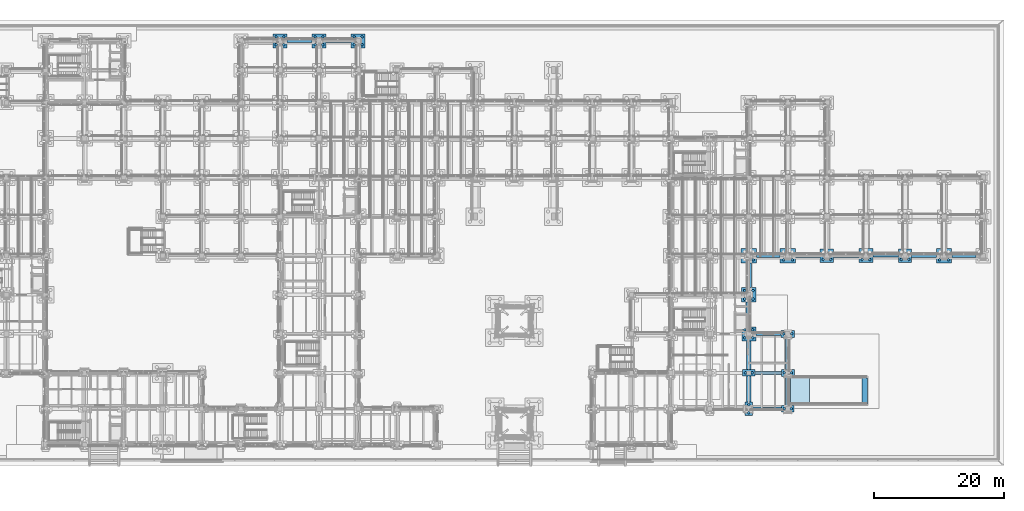
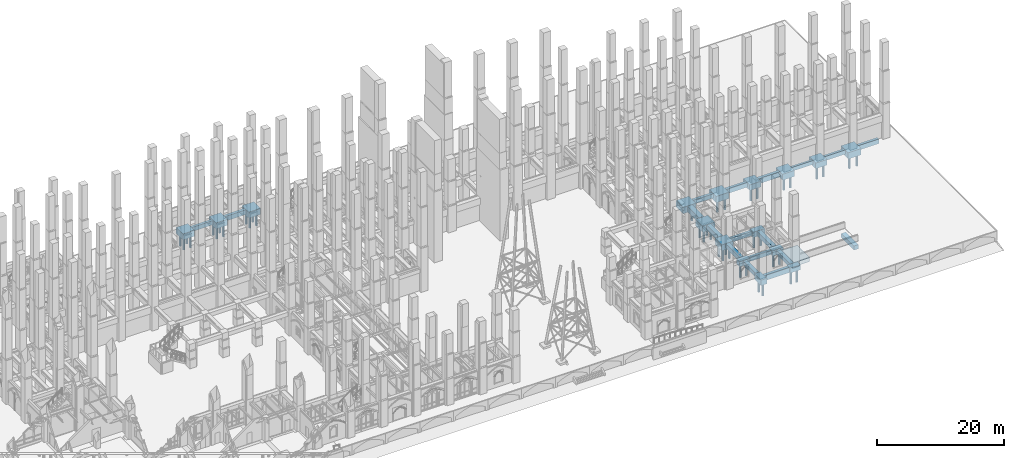
# One storey, part 12 of 135: 41 piles, 35 footings.
"""IFC4 building model written with IfcOpenShell, lengths in metres."""

from ifc_helpers import new_model, si_unit, direction, frame, origin, origin_2d, place, context, subcontext, project, spatial, polyline, rectangle, circle, outline, extrude, material, material_profile, profile_set, type_object, element, save


model = new_model("IFC4")

# Units and contexts
model_context = context("Model", 3, precision=1e-05, world=origin(), true_north=direction((0.0, 1.0)))
body_context = subcontext(model_context, "Body", "Model", "MODEL_VIEW")
ifc_project = project(units=[si_unit("LENGTHUNIT", "METRE"), si_unit("AREAUNIT", "SQUARE_METRE"), si_unit("VOLUMEUNIT", "CUBIC_METRE"), si_unit("PLANEANGLEUNIT", "RADIAN"), si_unit("MASSUNIT", "GRAM", prefix="KILO")], contexts=[model_context])

# Site, building, storey
site_placement = place(None, origin())
site = spatial("IfcSite", under=ifc_project, at=site_placement, CompositionType="ELEMENT")
building_placement = place(site_placement, origin())
building = spatial("IfcBuilding", under=site, at=building_placement, Name="Cumevento Cable Car Station", CompositionType="ELEMENT")
storey_placement = place(building_placement, origin())
storey = spatial("IfcBuildingStorey", under=building, at=storey_placement, Name="L01", CompositionType="ELEMENT", Elevation=0.0)

# Footings
ifc_material_1 = material(Name="Concrete C40/50", Category="concrete")
footing_type_1 = type_object("IfcFootingType", Name="Ground Beam GB-01 420x720", PredefinedType="FOOTING_BEAM", material=ifc_material_1)
footing_1_placement = place(storey_placement, frame((0.0, 0.0, -0.719970703125)))
element("IfcFooting", 1, at=footing_1_placement, inside=storey, type_object=footing_type_1, Name="Ground Tie Beam GB-01 #68", PredefinedType="FOOTING_BEAM", context=body_context, shape_type="SweptSolid", body=[
    extrude(outline(polyline([(149.076904296875, 32.7900390625), (152.972900390625, 32.7900390625), (152.972900390625, 33.2099609375), (149.076904296875, 33.2099609375), (149.076904296875, 32.7900390625)])), origin(), (0.0, 0.0, 1.0), 0.719970703125),
])
ifc_material_2 = material(Name="Concrete C40/50", Category="concrete")
footing_type_2 = type_object("IfcFootingType", Name="Ground Beam GB-02 480x800", PredefinedType="FOOTING_BEAM", material=ifc_material_2)
footing_2_placement = place(storey_placement, frame((0.0, 0.0, -0.800048828125)))
element("IfcFooting", 2, at=footing_2_placement, inside=storey, type_object=footing_type_2, Name="Ground Tie Beam GB-02 #41", PredefinedType="FOOTING_BEAM", context=body_context, shape_type="SweptSolid", body=[
    extrude(outline(polyline([(130.951904296875, 14.760009765625), (134.998046875, 14.760009765625), (134.998046875, 15.239990234375), (130.951904296875, 15.239990234375), (130.951904296875, 14.760009765625)])), origin(), (0.0, 0.0, 1.0), 0.800048828125),
])
footing_3_placement = place(storey_placement, frame((0.0, 0.0, -0.800048828125)))
element("IfcFooting", 3, at=footing_3_placement, inside=storey, type_object=footing_type_2, Name="Ground Tie Beam GB-02 #49", PredefinedType="FOOTING_BEAM", context=body_context, shape_type="SweptSolid", body=[
    extrude(outline(polyline([(131.076904296875, 20.760009765625), (134.947998046875, 20.760009765625), (134.947998046875, 21.239990234375), (131.076904296875, 21.239990234375), (131.076904296875, 20.760009765625)])), origin(), (0.0, 0.0, 1.0), 0.800048828125),
])
footing_4_placement = place(storey_placement, frame((0.0, 0.0, -0.800048828125)))
element("IfcFooting", 4, at=footing_4_placement, inside=storey, type_object=footing_type_2, Name="Ground Tie Beam GB-02 #65", PredefinedType="FOOTING_BEAM", context=body_context, shape_type="SweptSolid", body=[
    extrude(outline(polyline([(131.177001953125, 32.760009765625), (134.822998046875, 32.760009765625), (134.822998046875, 33.239990234375), (131.177001953125, 33.239990234375), (131.177001953125, 32.760009765625)])), origin(), (0.0, 0.0, 1.0), 0.800048828125),
])
footing_5_placement = place(storey_placement, frame((0.0, 0.0, -0.800048828125)))
element("IfcFooting", 5, at=footing_5_placement, inside=storey, type_object=footing_type_2, Name="Ground Tie Beam GB-02 #69", PredefinedType="FOOTING_BEAM", context=body_context, shape_type="SweptSolid", body=[
    extrude(outline(polyline([(155.027099609375, 32.760009765625), (158.822998046875, 32.760009765625), (158.822998046875, 33.239990234375), (155.027099609375, 33.239990234375), (155.027099609375, 32.760009765625)])), origin(), (0.0, 0.0, 1.0), 0.800048828125),
])
footing_6_placement = place(storey_placement, frame((0.0, 0.0, -0.800048828125)))
element("IfcFooting", 6, at=footing_6_placement, inside=storey, type_object=footing_type_2, Name="Ground Tie Beam GB-02 #157", PredefinedType="FOOTING_BEAM", context=body_context, shape_type="SweptSolid", body=[
    extrude(outline(polyline([(59.076904296875, 65.760009765625), (62.923095703125, 65.760009765625), (62.923095703125, 66.239990234375), (59.076904296875, 66.239990234375), (59.076904296875, 65.760009765625)])), origin(), (0.0, 0.0, 1.0), 0.800048828125),
])
ifc_material_3 = material(Name="Concrete C40/50", Category="concrete")
footing_type_3 = type_object("IfcFootingType", Name="Ground Beam GB-03 540x880", PredefinedType="FOOTING_BEAM", material=ifc_material_3)
footing_7_placement = place(storey_placement, frame((0.0, 0.0, -0.8798828125)))
element("IfcFooting", 7, at=footing_7_placement, inside=storey, type_object=footing_type_3, Name="Ground Tie Beam GB-03 #66", PredefinedType="FOOTING_BEAM", context=body_context, shape_type="SweptSolid", body=[
    extrude(outline(polyline([(137.177001953125, 32.72998046875), (140.972900390625, 32.72998046875), (140.972900390625, 33.27001953125), (137.177001953125, 33.27001953125), (137.177001953125, 32.72998046875)])), origin(), (0.0, 0.0, 1.0), 0.8798828125),
])
footing_8_placement = place(storey_placement, frame((0.0, 0.0, -0.8798828125)))
element("IfcFooting", 8, at=footing_8_placement, inside=storey, type_object=footing_type_3, Name="Ground Tie Beam GB-03 #70", PredefinedType="FOOTING_BEAM", context=body_context, shape_type="SweptSolid", body=[
    extrude(outline(polyline([(161.177001953125, 32.72998046875), (164.873046875, 32.72998046875), (164.873046875, 33.27001953125), (161.177001953125, 33.27001953125), (161.177001953125, 32.72998046875)])), origin(), (0.0, 0.0, 1.0), 0.8798828125),
])
footing_9_placement = place(storey_placement, frame((0.0, 0.0, -0.8798828125)))
element("IfcFooting", 9, at=footing_9_placement, inside=storey, type_object=footing_type_3, Name="Ground Tie Beam GB-03 #158", PredefinedType="FOOTING_BEAM", context=body_context, shape_type="SweptSolid", body=[
    extrude(outline(polyline([(65.076904296875, 65.72998046875), (68.923095703125, 65.72998046875), (68.923095703125, 66.27001953125), (65.076904296875, 66.27001953125), (65.076904296875, 65.72998046875)])), origin(), (0.0, 0.0, 1.0), 0.8798828125),
])
ifc_material_4 = material(Name="Concrete C40/50", Category="concrete")
footing_type_4 = type_object("IfcFootingType", Name="Ground Beam GB-04 600x960", PredefinedType="FOOTING_BEAM", material=ifc_material_4)
footing_10_placement = place(storey_placement, frame((0.0, 0.0, -0.9599609375)))
element("IfcFooting", 10, at=footing_10_placement, inside=storey, type_object=footing_type_4, Name="Ground Tie Beam GB-04 #27", PredefinedType="FOOTING_BEAM", context=body_context, shape_type="SweptSolid", body=[
    extrude(outline(polyline([(130.552001953125, 9.199951171875), (135.048095703125, 9.199951171875), (135.048095703125, 9.800048828125), (130.552001953125, 9.800048828125), (130.552001953125, 9.199951171875)])), origin(), (0.0, 0.0, 1.0), 0.9599609375),
])
footing_11_placement = place(storey_placement, frame((0.0, 0.0, -0.9599609375)))
element("IfcFooting", 11, at=footing_11_placement, inside=storey, type_object=footing_type_4, Name="Ground Tie Beam GB-04 #67", PredefinedType="FOOTING_BEAM", context=body_context, shape_type="SweptSolid", body=[
    extrude(outline(polyline([(143.027099609375, 32.699951171875), (146.923095703125, 32.699951171875), (146.923095703125, 33.300048828125), (143.027099609375, 33.300048828125), (143.027099609375, 32.699951171875)])), origin(), (0.0, 0.0, 1.0), 0.9599609375),
])

# Piles
ifc_material_5 = material(Name="Concrete C40/50", Category="concrete")
ifc_material_profile = material_profile(ifc_material_5, circle(Radius=0.199951171875, at=origin_2d()), Name="PILE-D400")
ifc_profile_set = profile_set([ifc_material_profile], Name="Concrete C40/50")
pile_type = type_object("IfcPileType", Name="PILE-BORED-400", PredefinedType="BORED", material=ifc_profile_set)
for number, where, z_axis, x_axis, name in (
    (12, (57.39990234375, 65.39990234375, -1.14990234375), (0.0, 0.0, -1.0), (1.0, 0.0, 0.0), "Bored Pile PL-400 #235"),
    (13, (58.60009765625, 65.39990234375, -1.14990234375), (0.0, 0.0, -1.0), (1.0, 0.0, 0.0), "Bored Pile PL-400 #236"),
    (14, (57.39990234375, 66.60009765625, -1.14990234375), (0.0, 0.0, -1.0), (1.0, 0.0, 0.0), "Bored Pile PL-400 #237"),
    (15, (58.60009765625, 66.60009765625, -1.14990234375), (0.0, 0.0, -1.0), (1.0, 0.0, 0.0), "Bored Pile PL-400 #238"),
    (16, (63.39990234375, 65.39990234375, -1.14990234375), (0.0, 0.0, -1.0), (1.0, 0.0, 0.0), "Bored Pile PL-400 #271"),
    (17, (64.60009765625, 65.39990234375, -1.14990234375), (0.0, 0.0, -1.0), (1.0, 0.0, 0.0), "Bored Pile PL-400 #272"),
    (18, (63.39990234375, 66.60009765625, -1.14990234375), (0.0, 0.0, -1.0), (1.0, 0.0, 0.0), "Bored Pile PL-400 #273"),
    (19, (64.60009765625, 66.60009765625, -1.14990234375), (0.0, 0.0, -1.0), (1.0, 0.0, 0.0), "Bored Pile PL-400 #274"),
    (20, (69.39990234375, 65.39990234375, -1.14990234375), (0.0, 0.0, -1.0), (1.0, 0.0, 0.0), "Bored Pile PL-400 #309"),
    (21, (70.60009765625, 65.39990234375, -1.14990234375), (0.0, 0.0, -1.0), (1.0, 0.0, 0.0), "Bored Pile PL-400 #310"),
    (22, (69.39990234375, 66.60009765625, -1.14990234375), (0.0, 0.0, -1.0), (1.0, 0.0, 0.0), "Bored Pile PL-400 #311"),
    (23, (70.60009765625, 66.60009765625, -1.14990234375), (0.0, 0.0, -1.0), (1.0, 0.0, 0.0), "Bored Pile PL-400 #312"),
):
    element("IfcPile", number, at=place(storey_placement, frame(where, z_axis=z_axis, x_axis=x_axis)), inside=storey, type_object=pile_type, Name=name, PredefinedType="BORED", context=body_context, shape_type="SweptSolid", body=[
        extrude(circle(Radius=0.199951171875, at=origin_2d()), origin(), (0.0, 0.0, 1.0), 2.25),
    ])
for number, where, z_axis, x_axis, name in (
    (24, (130.0, 8.89990234375, -1.050048828125), (0.0, 0.0, -1.0), (1.0, 0.0, 0.0), "Bored Pile PL-400 #495"),
    (25, (130.0, 10.10009765625, -1.050048828125), (0.0, 0.0, -1.0), (1.0, 0.0, 0.0), "Bored Pile PL-400 #496"),
):
    element("IfcPile", number, at=place(storey_placement, frame(where, z_axis=z_axis, x_axis=x_axis)), inside=storey, type_object=pile_type, Name=name, PredefinedType="BORED", context=body_context, shape_type="SweptSolid", body=[
        extrude(circle(Radius=0.199951171875, at=origin_2d()), origin(), (0.0, 0.0, 1.0), 2.35009765625),
    ])
for number, where, z_axis, x_axis, name in (
    (26, (129.47998046875, 15.0, -0.949951171875), (0.0, 0.0, -1.0), (1.0, 0.0, 0.0), "Bored Pile PL-400 #497"),
    (27, (130.52001953125, 15.0, -0.949951171875), (0.0, 0.0, -1.0), (1.0, 0.0, 0.0), "Bored Pile PL-400 #498"),
):
    element("IfcPile", number, at=place(storey_placement, frame(where, z_axis=z_axis, x_axis=x_axis)), inside=storey, type_object=pile_type, Name=name, PredefinedType="BORED", context=body_context, shape_type="SweptSolid", body=[
        extrude(circle(Radius=0.199951171875, at=origin_2d()), origin(), (0.0, 0.0, 1.0), 2.449951171875),
    ])
for number, where, z_axis, x_axis, name in (
    (28, (129.39990234375, 20.39990234375, -1.14990234375), (0.0, 0.0, -1.0), (1.0, 0.0, 0.0), "Bored Pile PL-400 #499"),
    (29, (130.60009765625, 20.39990234375, -1.14990234375), (0.0, 0.0, -1.0), (1.0, 0.0, 0.0), "Bored Pile PL-400 #500"),
    (30, (129.39990234375, 21.60009765625, -1.14990234375), (0.0, 0.0, -1.0), (1.0, 0.0, 0.0), "Bored Pile PL-400 #501"),
    (31, (130.60009765625, 21.60009765625, -1.14990234375), (0.0, 0.0, -1.0), (1.0, 0.0, 0.0), "Bored Pile PL-400 #502"),
):
    element("IfcPile", number, at=place(storey_placement, frame(where, z_axis=z_axis, x_axis=x_axis)), inside=storey, type_object=pile_type, Name=name, PredefinedType="BORED", context=body_context, shape_type="SweptSolid", body=[
        extrude(circle(Radius=0.199951171875, at=origin_2d()), origin(), (0.0, 0.0, 1.0), 2.25),
    ])
for number, where, z_axis, x_axis, name in (
    (32, (129.35009765625, 26.35009765625, -1.199951171875), (0.0, 0.0, -1.0), (1.0, 0.0, 0.0), "Bored Pile PL-400 #503"),
    (33, (130.64990234375, 26.35009765625, -1.199951171875), (0.0, 0.0, -1.0), (1.0, 0.0, 0.0), "Bored Pile PL-400 #504"),
    (34, (129.35009765625, 27.64990234375, -1.199951171875), (0.0, 0.0, -1.0), (1.0, 0.0, 0.0), "Bored Pile PL-400 #505"),
    (35, (130.64990234375, 27.64990234375, -1.199951171875), (0.0, 0.0, -1.0), (1.0, 0.0, 0.0), "Bored Pile PL-400 #506"),
):
    element("IfcPile", number, at=place(storey_placement, frame(where, z_axis=z_axis, x_axis=x_axis)), inside=storey, type_object=pile_type, Name=name, PredefinedType="BORED", context=body_context, shape_type="SweptSolid", body=[
        extrude(circle(Radius=0.199951171875, at=origin_2d()), origin(), (0.0, 0.0, 1.0), 2.199951171875),
    ])
pile_placement = place(storey_placement, frame((130.679931640625, 32.35009765625, -1.219970703125), z_axis=(0.0, 0.0, -1.0), x_axis=(1.0, 0.0, 0.0)))
element("IfcPile", 36, at=pile_placement, inside=storey, type_object=pile_type, Name="Bored Pile PL-400 #508", PredefinedType="BORED", context=body_context, shape_type="SweptSolid", body=[
    extrude(circle(Radius=0.199951171875, at=origin_2d()), origin(), (0.0, 0.0, 1.0), 2.179931640625),
])
for number, where, z_axis, x_axis, name in (
    (37, (135.47998046875, 9.5, -0.949951171875), (0.0, 0.0, -1.0), (1.0, 0.0, 0.0), "Bored Pile PL-400 #527"),
    (38, (136.52001953125, 9.5, -0.949951171875), (0.0, 0.0, -1.0), (1.0, 0.0, 0.0), "Bored Pile PL-400 #528"),
):
    element("IfcPile", number, at=place(storey_placement, frame(where, z_axis=z_axis, x_axis=x_axis)), inside=storey, type_object=pile_type, Name=name, PredefinedType="BORED", context=body_context, shape_type="SweptSolid", body=[
        extrude(circle(Radius=0.199951171875, at=origin_2d()), origin(), (0.0, 0.0, 1.0), 2.449951171875),
    ])
for number, where, z_axis, x_axis, name in (
    (39, (135.449951171875, 15.0, -1.0), (0.0, 0.0, -1.0), (1.0, 0.0, 0.0), "Bored Pile PL-400 #529"),
    (40, (136.550048828125, 15.0, -1.0), (0.0, 0.0, -1.0), (1.0, 0.0, 0.0), "Bored Pile PL-400 #530"),
):
    element("IfcPile", number, at=place(storey_placement, frame(where, z_axis=z_axis, x_axis=x_axis)), inside=storey, type_object=pile_type, Name=name, PredefinedType="BORED", context=body_context, shape_type="SweptSolid", body=[
        extrude(circle(Radius=0.199951171875, at=origin_2d()), origin(), (0.0, 0.0, 1.0), 2.39990234375),
    ])
for number, where, z_axis, x_axis, name in (
    (41, (135.39990234375, 21.0, -1.050048828125), (0.0, 0.0, -1.0), (1.0, 0.0, 0.0), "Bored Pile PL-400 #531"),
    (42, (136.60009765625, 21.0, -1.050048828125), (0.0, 0.0, -1.0), (1.0, 0.0, 0.0), "Bored Pile PL-400 #532"),
):
    element("IfcPile", number, at=place(storey_placement, frame(where, z_axis=z_axis, x_axis=x_axis)), inside=storey, type_object=pile_type, Name=name, PredefinedType="BORED", context=body_context, shape_type="SweptSolid", body=[
        extrude(circle(Radius=0.199951171875, at=origin_2d()), origin(), (0.0, 0.0, 1.0), 2.35009765625),
    ])
for number, where, z_axis, x_axis, name in (
    (43, (135.320068359375, 32.35009765625, -1.219970703125), (0.0, 0.0, -1.0), (1.0, 0.0, 0.0), "Bored Pile PL-400 #533"),
    (44, (136.679931640625, 32.35009765625, -1.219970703125), (0.0, 0.0, -1.0), (1.0, 0.0, 0.0), "Bored Pile PL-400 #534"),
):
    element("IfcPile", number, at=place(storey_placement, frame(where, z_axis=z_axis, x_axis=x_axis)), inside=storey, type_object=pile_type, Name=name, PredefinedType="BORED", context=body_context, shape_type="SweptSolid", body=[
        extrude(circle(Radius=0.199951171875, at=origin_2d()), origin(), (0.0, 0.0, 1.0), 2.179931640625),
    ])
for number, where, z_axis, x_axis, name in (
    (45, (141.419921875, 32.419921875, -1.10009765625), (0.0, 0.0, -1.0), (1.0, 0.0, 0.0), "Bored Pile PL-400 #553"),
    (46, (142.580078125, 32.419921875, -1.10009765625), (0.0, 0.0, -1.0), (1.0, 0.0, 0.0), "Bored Pile PL-400 #554"),
):
    element("IfcPile", number, at=place(storey_placement, frame(where, z_axis=z_axis, x_axis=x_axis)), inside=storey, type_object=pile_type, Name=name, PredefinedType="BORED", context=body_context, shape_type="SweptSolid", body=[
        extrude(circle(Radius=0.199951171875, at=origin_2d()), origin(), (0.0, 0.0, 1.0), 2.300048828125),
    ])
for number, where, z_axis, x_axis, name in (
    (47, (147.39990234375, 32.39990234375, -1.14990234375), (0.0, 0.0, -1.0), (1.0, 0.0, 0.0), "Bored Pile PL-400 #573"),
    (48, (148.60009765625, 32.39990234375, -1.14990234375), (0.0, 0.0, -1.0), (1.0, 0.0, 0.0), "Bored Pile PL-400 #574"),
):
    element("IfcPile", number, at=place(storey_placement, frame(where, z_axis=z_axis, x_axis=x_axis)), inside=storey, type_object=pile_type, Name=name, PredefinedType="BORED", context=body_context, shape_type="SweptSolid", body=[
        extrude(circle(Radius=0.199951171875, at=origin_2d()), origin(), (0.0, 0.0, 1.0), 2.25),
    ])
for number, where, z_axis, x_axis, name in (
    (49, (153.419921875, 32.419921875, -1.10009765625), (0.0, 0.0, -1.0), (1.0, 0.0, 0.0), "Bored Pile PL-400 #585"),
    (50, (154.580078125, 32.419921875, -1.10009765625), (0.0, 0.0, -1.0), (1.0, 0.0, 0.0), "Bored Pile PL-400 #586"),
):
    element("IfcPile", number, at=place(storey_placement, frame(where, z_axis=z_axis, x_axis=x_axis)), inside=storey, type_object=pile_type, Name=name, PredefinedType="BORED", context=body_context, shape_type="SweptSolid", body=[
        extrude(circle(Radius=0.199951171875, at=origin_2d()), origin(), (0.0, 0.0, 1.0), 2.300048828125),
    ])
for number, where, z_axis, x_axis, name in (
    (51, (159.320068359375, 32.35009765625, -1.219970703125), (0.0, 0.0, -1.0), (1.0, 0.0, 0.0), "Bored Pile PL-400 #597"),
    (52, (160.679931640625, 32.35009765625, -1.219970703125), (0.0, 0.0, -1.0), (1.0, 0.0, 0.0), "Bored Pile PL-400 #598"),
):
    element("IfcPile", number, at=place(storey_placement, frame(where, z_axis=z_axis, x_axis=x_axis)), inside=storey, type_object=pile_type, Name=name, PredefinedType="BORED", context=body_context, shape_type="SweptSolid", body=[
        extrude(circle(Radius=0.199951171875, at=origin_2d()), origin(), (0.0, 0.0, 1.0), 2.179931640625),
    ])

# Footings
ifc_material_6 = material(Name="Concrete C40/50", Category="concrete")
footing_type_5 = type_object("IfcFootingType", Name="Pile Cap PC-01 1900x1000x950", PredefinedType="PILE_CAP", material=ifc_material_6)
for number, where, z_axis, x_axis, name in (
    (53, (130.0, 15.0, -0.9501953125), (0.0, 0.0, 1.0), (1.0, 0.0, 0.0), "Pile Cap PC-01 at (130.0,15.0)"),
    (54, (136.0, 9.5, -0.9501953125), (0.0, 0.0, 1.0), (1.0, 0.0, 0.0), "Pile Cap PC-01 at (136.0,9.5)"),
):
    element("IfcFooting", number, at=place(storey_placement, frame(where, z_axis=z_axis, x_axis=x_axis)), inside=storey, type_object=footing_type_5, Name=name, PredefinedType="PILE_CAP", context=body_context, shape_type="SweptSolid", body=[
        extrude(rectangle(XDim=1.89990234375, YDim=1.0, at=origin_2d()), origin(), (0.0, 0.0, 1.0), 0.949951171875),
    ])
ifc_material_7 = material(Name="Concrete C40/50", Category="concrete")
footing_type_6 = type_object("IfcFootingType", Name="Pile Cap PC-02 2000x1050x1000", PredefinedType="PILE_CAP", material=ifc_material_7)
footing_12_placement = place(storey_placement, frame((136.0, 15.0, -1.0), z_axis=(0.0, 0.0, 1.0), x_axis=(1.0, 0.0, 0.0)))
element("IfcFooting", 55, at=footing_12_placement, inside=storey, type_object=footing_type_6, Name="Pile Cap PC-02 at (136.0,15.0)", PredefinedType="PILE_CAP", context=body_context, shape_type="SweptSolid", body=[
    extrude(rectangle(XDim=2.0, YDim=1.050048828125, at=origin_2d()), origin(), (0.0, 0.0, 1.0), 1.0),
])
ifc_material_8 = material(Name="Concrete C40/50", Category="concrete")
footing_type_7 = type_object("IfcFootingType", Name="Pile Cap PC-03 2100x1100x1050", PredefinedType="PILE_CAP", material=ifc_material_8)
footing_13_placement = place(storey_placement, frame((136.0, 21.0, -1.0498046875), z_axis=(0.0, 0.0, 1.0), x_axis=(1.0, 0.0, 0.0)))
element("IfcFooting", 56, at=footing_13_placement, inside=storey, type_object=footing_type_7, Name="Pile Cap PC-03 at (136.0,21.0)", PredefinedType="PILE_CAP", context=body_context, shape_type="SweptSolid", body=[
    extrude(rectangle(XDim=2.10009765625, YDim=1.10009765625, at=origin_2d()), origin(), (0.0, 0.0, 1.0), 1.050048828125),
])
ifc_material_9 = material(Name="Concrete C40/50", Category="concrete")
footing_type_8 = type_object("IfcFootingType", Name="Pile Cap PC-04 1100x2100x1050", PredefinedType="PILE_CAP", material=ifc_material_9)
footing_14_placement = place(storey_placement, frame((130.0, 9.5, -1.0498046875), z_axis=(0.0, 0.0, 1.0), x_axis=(1.0, 0.0, 0.0)))
element("IfcFooting", 57, at=footing_14_placement, inside=storey, type_object=footing_type_8, Name="Pile Cap PC-04 at (130.0,9.5)", PredefinedType="PILE_CAP", context=body_context, shape_type="SweptSolid", body=[
    extrude(rectangle(XDim=1.10009765625, YDim=2.10009765625, at=origin_2d()), origin(), (0.0, 0.0, 1.0), 1.050048828125),
])
ifc_material_10 = material(Name="Concrete C40/50", Category="concrete")
footing_type_9 = type_object("IfcFootingType", Name="Pile Cap PC-05 2050x2050x1100", PredefinedType="PILE_CAP", material=ifc_material_10)
for number, where, z_axis, x_axis, name in (
    (58, (142.0, 33.0, -1.10009765625), (0.0, 0.0, 1.0), (1.0, 0.0, 0.0), "Pile Cap PC-05 at (142.0,33.0)"),
    (59, (154.0, 33.0, -1.10009765625), (0.0, 0.0, 1.0), (1.0, 0.0, 0.0), "Pile Cap PC-05 at (154.0,33.0)"),
):
    element("IfcFooting", number, at=place(storey_placement, frame(where, z_axis=z_axis, x_axis=x_axis)), inside=storey, type_object=footing_type_9, Name=name, PredefinedType="PILE_CAP", context=body_context, shape_type="SweptSolid", body=[
        extrude(rectangle(XDim=2.050048828125, YDim=2.050048828125, at=origin_2d()), origin(), (0.0, 0.0, 1.0), 1.10009765625),
    ])
ifc_material_11 = material(Name="Concrete C40/50", Category="concrete")
footing_type_10 = type_object("IfcFootingType", Name="Pile Cap PC-06 2150x2150x1150", PredefinedType="PILE_CAP", material=ifc_material_11)
for number, where, z_axis, x_axis, name in (
    (60, (58.0, 66.0, -1.14990234375), (0.0, 0.0, 1.0), (1.0, 0.0, 0.0), "Pile Cap PC-06 at (58.0,66.0)"),
    (61, (64.0, 66.0, -1.14990234375), (0.0, 0.0, 1.0), (1.0, 0.0, 0.0), "Pile Cap PC-06 at (64.0,66.0)"),
    (62, (70.0, 66.0, -1.14990234375), (0.0, 0.0, 1.0), (1.0, 0.0, 0.0), "Pile Cap PC-06 at (70.0,66.0)"),
    (63, (130.0, 21.0, -1.14990234375), (0.0, 0.0, 1.0), (1.0, 0.0, 0.0), "Pile Cap PC-06 at (130.0,21.0)"),
    (64, (148.0, 33.0, -1.14990234375), (0.0, 0.0, 1.0), (1.0, 0.0, 0.0), "Pile Cap PC-06 at (148.0,33.0)"),
):
    element("IfcFooting", number, at=place(storey_placement, frame(where, z_axis=z_axis, x_axis=x_axis)), inside=storey, type_object=footing_type_10, Name=name, PredefinedType="PILE_CAP", context=body_context, shape_type="SweptSolid", body=[
        extrude(rectangle(XDim=2.14990234375, YDim=2.14990234375, at=origin_2d()), origin(), (0.0, 0.0, 1.0), 1.14990234375),
    ])
ifc_material_12 = material(Name="Concrete C40/50", Category="concrete")
footing_type_11 = type_object("IfcFootingType", Name="Pile Cap PC-07 2250x2250x1200", PredefinedType="PILE_CAP", material=ifc_material_12)
footing_15_placement = place(storey_placement, frame((130.0, 27.0, -1.2001953125), z_axis=(0.0, 0.0, 1.0), x_axis=(1.0, 0.0, 0.0)))
element("IfcFooting", 65, at=footing_15_placement, inside=storey, type_object=footing_type_11, Name="Pile Cap PC-07 at (130.0,27.0)", PredefinedType="PILE_CAP", context=body_context, shape_type="SweptSolid", body=[
    extrude(rectangle(XDim=2.25, YDim=2.25, at=origin_2d()), origin(), (0.0, 0.0, 1.0), 1.199951171875),
])
ifc_material_13 = material(Name="Concrete C40/50", Category="concrete")
footing_type_12 = type_object("IfcFootingType", Name="Pile Cap PC-08 2350x2250x1220", PredefinedType="PILE_CAP", material=ifc_material_13)
for number, where, z_axis, x_axis, name in (
    (66, (130.0, 33.0, -1.22021484375), (0.0, 0.0, 1.0), (1.0, 0.0, 0.0), "Pile Cap PC-08 at (130.0,33.0)"),
    (67, (136.0, 33.0, -1.22021484375), (0.0, 0.0, 1.0), (1.0, 0.0, 0.0), "Pile Cap PC-08 at (136.0,33.0)"),
    (68, (160.0, 33.0, -1.22021484375), (0.0, 0.0, 1.0), (1.0, 0.0, 0.0), "Pile Cap PC-08 at (160.0,33.0)"),
):
    element("IfcFooting", number, at=place(storey_placement, frame(where, z_axis=z_axis, x_axis=x_axis)), inside=storey, type_object=footing_type_12, Name=name, PredefinedType="PILE_CAP", context=body_context, shape_type="SweptSolid", body=[
        extrude(rectangle(XDim=2.35009765625, YDim=2.25, at=origin_2d()), origin(), (0.0, 0.0, 1.0), 1.219970703125),
    ])
ifc_material_14 = material(Name="Concrete C40/50", Category="concrete")
footing_type_13 = type_object("IfcFootingType", Name="Strip Footing SF-01 640x780", PredefinedType="STRIP_FOOTING", material=ifc_material_14)
footing_16_placement = place(storey_placement, frame((0.0, 0.0, -0.780029296875)))
element("IfcFooting", 69, at=footing_16_placement, inside=storey, type_object=footing_type_13, Name="Strip Footing SF-01 #280", PredefinedType="STRIP_FOOTING", context=body_context, shape_type="SweptSolid", body=[
    extrude(outline(polyline([(129.679931640625, 10.552001953125), (130.320068359375, 10.552001953125), (130.320068359375, 14.498046875), (129.679931640625, 14.498046875), (129.679931640625, 10.552001953125)])), origin(), (0.0, 0.0, 1.0), 0.780029296875),
])
footing_17_placement = place(storey_placement, frame((0.0, 0.0, -0.780029296875)))
element("IfcFooting", 70, at=footing_17_placement, inside=storey, type_object=footing_type_13, Name="Strip Footing SF-01 #288", PredefinedType="STRIP_FOOTING", context=body_context, shape_type="SweptSolid", body=[
    extrude(outline(polyline([(135.679931640625, 10.001953125), (136.320068359375, 10.001953125), (136.320068359375, 14.472900390625), (135.679931640625, 14.472900390625), (135.679931640625, 10.001953125)])), origin(), (0.0, 0.0, 1.0), 0.780029296875),
])
footing_18_placement = place(storey_placement, frame((0.0, 0.0, -1.60009765625)))
element("IfcFooting", 71, at=footing_18_placement, inside=storey, type_object=footing_type_13, Name="Ramp Toe Strip Footing RP-01", PredefinedType="STRIP_FOOTING", context=body_context, shape_type="SweptSolid", body=[
    extrude(outline(polyline([(148.199951171875, 10.25), (148.199951171875, 14.25), (147.360107421875, 14.25), (147.360107421875, 10.25), (148.199951171875, 10.25)])), origin(), (0.0, 0.0, 1.0), 0.780029296875),
])
footing_19_placement = place(storey_placement, frame((0.0, 0.0, -1.0)))
element("IfcFooting", 72, at=footing_19_placement, inside=storey, type_object=footing_type_13, Name="Ramp Landing Strip Footing RP-01", PredefinedType="STRIP_FOOTING", context=body_context, shape_type="SweptSolid", body=[
    extrude(outline(polyline([(139.35009765625, 14.199951171875), (139.35009765625, 10.300048828125), (136.385009765625, 10.300048828125), (136.385009765625, 14.199951171875), (139.35009765625, 14.199951171875)])), origin(), (0.0, 0.0, 1.0), 0.780029296875),
])
ifc_material_15 = material(Name="Concrete C40/50", Category="concrete")
footing_type_14 = type_object("IfcFootingType", Name="Strip Footing SF-02 720x860", PredefinedType="STRIP_FOOTING", material=ifc_material_15)
footing_20_placement = place(storey_placement, frame((0.0, 0.0, -0.860107421875)))
element("IfcFooting", 73, at=footing_20_placement, inside=storey, type_object=footing_type_14, Name="Strip Footing SF-02 #281", PredefinedType="STRIP_FOOTING", context=body_context, shape_type="SweptSolid", body=[
    extrude(outline(polyline([(129.639892578125, 15.501953125), (130.360107421875, 15.501953125), (130.360107421875, 19.923095703125), (129.639892578125, 19.923095703125), (129.639892578125, 15.501953125)])), origin(), (0.0, 0.0, 1.0), 0.860107421875),
])
footing_21_placement = place(storey_placement, frame((0.0, 0.0, -0.860107421875)))
element("IfcFooting", 74, at=footing_21_placement, inside=storey, type_object=footing_type_14, Name="Strip Footing SF-02 #289", PredefinedType="STRIP_FOOTING", context=body_context, shape_type="SweptSolid", body=[
    extrude(outline(polyline([(135.639892578125, 15.527099609375), (136.360107421875, 15.527099609375), (136.360107421875, 20.447998046875), (135.639892578125, 20.447998046875), (135.639892578125, 15.527099609375)])), origin(), (0.0, 0.0, 1.0), 0.860107421875),
])
ifc_material_16 = material(Name="Concrete C40/50", Category="concrete")
footing_type_15 = type_object("IfcFootingType", Name="Strip Footing SF-03 800x940", PredefinedType="STRIP_FOOTING", material=ifc_material_16)
footing_22_placement = place(storey_placement, frame((0.0, 0.0, -0.93994140625)))
element("IfcFooting", 75, at=footing_22_placement, inside=storey, type_object=footing_type_15, Name="Strip Footing SF-03 #282", PredefinedType="STRIP_FOOTING", context=body_context, shape_type="SweptSolid", body=[
    extrude(outline(polyline([(129.60009765625, 22.076904296875), (130.39990234375, 22.076904296875), (130.39990234375, 25.873046875), (129.60009765625, 25.873046875), (129.60009765625, 22.076904296875)])), origin(), (0.0, 0.0, 1.0), 0.93994140625),
])
ifc_material_17 = material(Name="Concrete C40/50", Category="concrete")
footing_type_16 = type_object("IfcFootingType", Name="Strip Footing SF-04 880x1020", PredefinedType="STRIP_FOOTING", material=ifc_material_17)
footing_23_placement = place(storey_placement, frame((0.0, 0.0, -1.02001953125)))
element("IfcFooting", 76, at=footing_23_placement, inside=storey, type_object=footing_type_16, Name="Strip Footing SF-04 #283", PredefinedType="STRIP_FOOTING", context=body_context, shape_type="SweptSolid", body=[
    extrude(outline(polyline([(129.56005859375, 28.126953125), (130.43994140625, 28.126953125), (130.43994140625, 31.873046875), (129.56005859375, 31.873046875), (129.56005859375, 28.126953125)])), origin(), (0.0, 0.0, 1.0), 1.02001953125),
])

save(model, "model.ifc")
